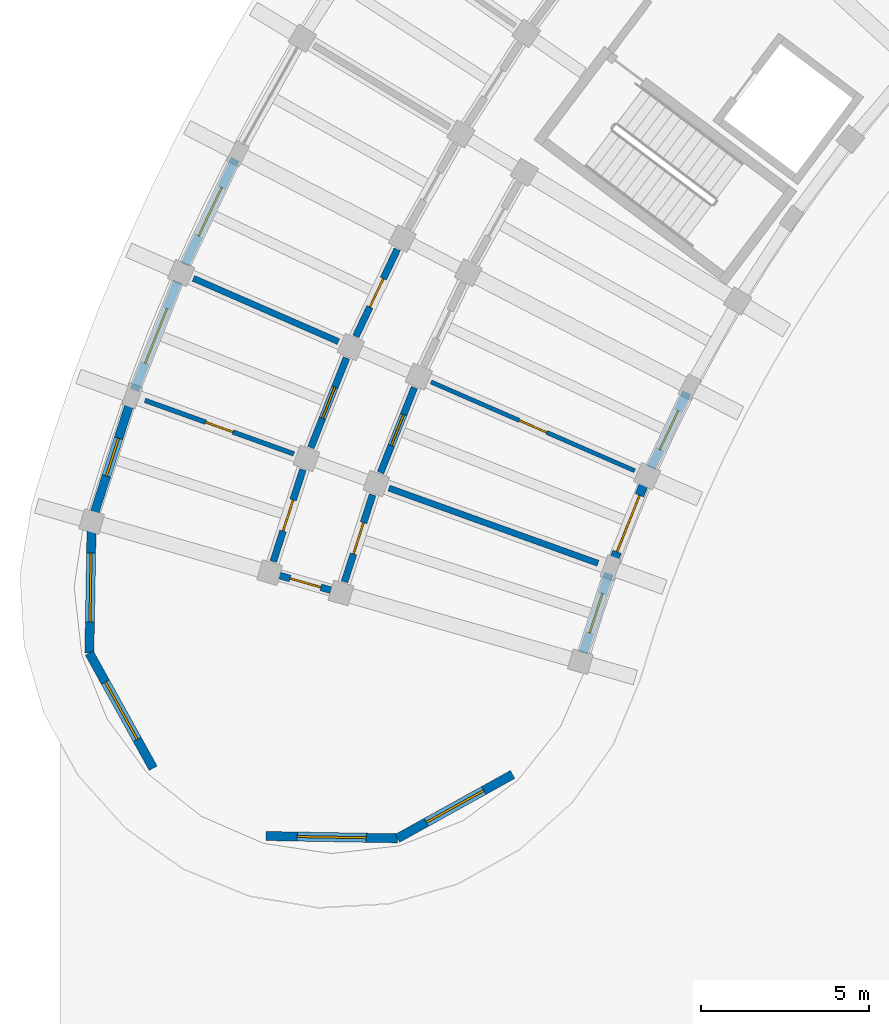
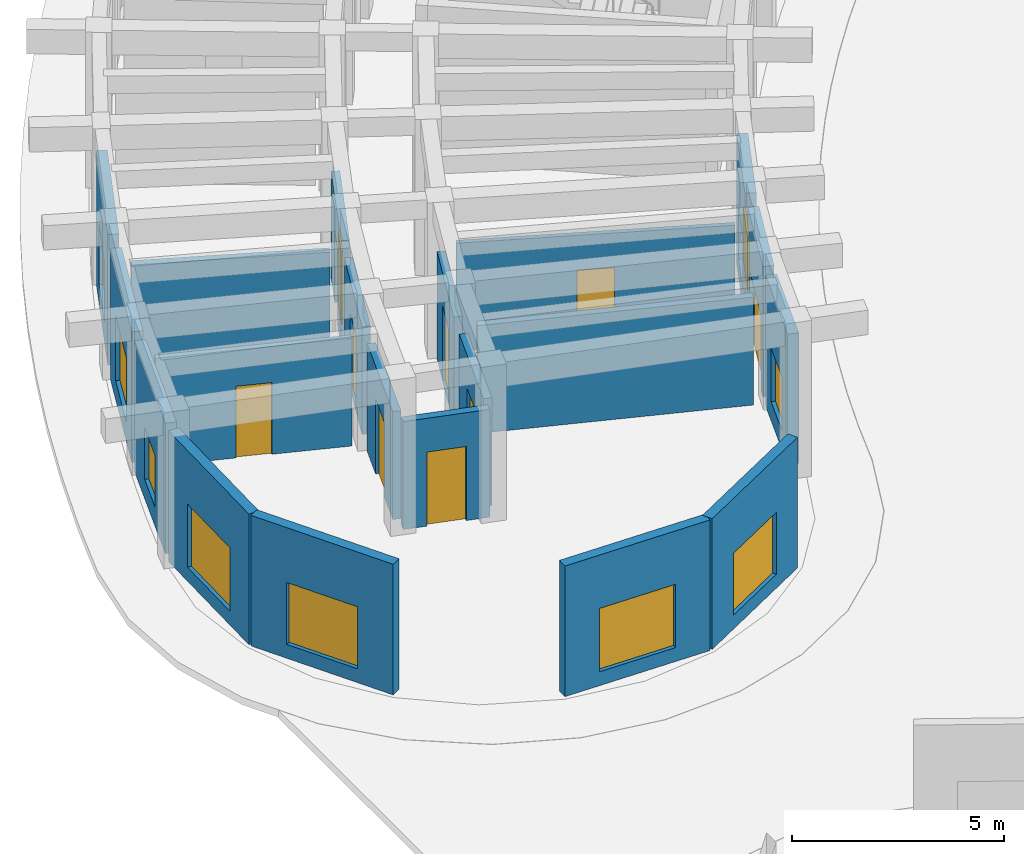
# One storey, part 93 of 132: 20 walls, 9 doors, 9 windows, 18 openings.
"""IFC4 building model written with IfcOpenShell, lengths in metres."""

from ifc_helpers import new_model, si_unit, direction, frame, frame_2d, origin, place, context, subcontext, project, spatial, rectangle, extrude, material, layer, layer_set, type_object, element, fill, save


model = new_model("IFC4")

# Units and contexts
model_context = context("Model", 3, precision=1e-05, world=origin(), true_north=direction((0.0, 1.0)))
body_context = subcontext(model_context, "Body", "Model", "MODEL_VIEW")
ifc_project = project(units=[si_unit("LENGTHUNIT", "METRE"), si_unit("AREAUNIT", "SQUARE_METRE"), si_unit("VOLUMEUNIT", "CUBIC_METRE"), si_unit("PLANEANGLEUNIT", "RADIAN"), si_unit("MASSUNIT", "GRAM", prefix="KILO")], contexts=[model_context])

# Site, building, storey
site_placement = place(None, origin())
site = spatial("IfcSite", under=ifc_project, at=site_placement, CompositionType="ELEMENT")
building_placement = place(site_placement, origin())
building = spatial("IfcBuilding", under=site, at=building_placement, Name="Tanwirah Colonnade Gardens", CompositionType="ELEMENT")
storey_placement = place(building_placement, origin())
storey = spatial("IfcBuildingStorey", under=building, at=storey_placement, Name="L00", CompositionType="ELEMENT", Elevation=0.0)

# Wall, opening, window
ifc_material_1 = material(Name="Limestone architectural precast concrete C40/50", Category="masonry")
ifc_layer_1 = layer(ifc_material_1, 0.27001953125)
ifc_layer_set_1 = layer_set([ifc_layer_1], Name="Limestone architectural precast concrete C40/50")
wall_type_1 = type_object("IfcWallType", Name="EW-PC270", PredefinedType="SOLIDWALL", material=ifc_layer_set_1)
wall_1_placement = place(storey_placement, frame((12.021484375, 87.380859375, 0.0), z_axis=(0.0, 0.0, 1.0), x_axis=(-0.4296300405, -0.903004999045, 0.0)))
wall_1 = element("IfcWall", 1, at=wall_1_placement, inside=storey, type_object=wall_type_1, Name="Block A L00 OUT Precast Facade Wall 15", PredefinedType="SOLIDWALL", context=body_context, shape_type="SweptSolid", body=[
    extrude(rectangle(XDim=3.4658203125, YDim=0.27001953125, at=frame_2d((1.73291015625, 0.0))), origin(), (0.0, 0.0, 1.0), 3.7548828125),
])
opening_1_placement = place(wall_1_placement, frame((0.932861328125, 0.0, 0.550048828125)))
opening_1 = element("IfcOpeningElement", 2, at=opening_1_placement, cuts=wall_1, Name="Opening WIN-T10", PredefinedType="OPENING", context=body_context, shape_type="SweptSolid", body=[
    extrude(rectangle(XDim=1.60009765625, YDim=1.75, at=frame_2d((0.800048828125, 0.875))), frame((0.0, 0.14501953125, 0.0), z_axis=(0.0, -1.0, 0.0), x_axis=(1.0, 0.0, 0.0)), (0.0, 0.0, 1.0), 0.2900390625),
])
ifc_material_2 = material(Name="Thermally broken bronze aluminium and solar low-E double glazing", Category="aluminium")
window_type_1 = type_object("IfcWindowType", Name="WIN-T10", PartitioningType="DOUBLE_PANEL_VERTICAL", PredefinedType="WINDOW", material=ifc_material_2)
window_1_placement = place(opening_1_placement, origin())
window_1 = element("IfcWindow", 3, at=window_1_placement, inside=storey, type_object=window_type_1, Name="Facade window A-L00-OUT-15", OverallHeight=1.75, OverallWidth=1.60009765625, PartitioningType="SINGLE_PANEL", PredefinedType="WINDOW", context=body_context, shape_type="SweptSolid", body=[
    extrude(rectangle(XDim=1.60009765625, YDim=1.75, at=frame_2d((0.800048828125, 0.875))), frame((0.0, 0.030029296875, 0.0), z_axis=(0.0, -1.0, 0.0), x_axis=(1.0, 0.0, 0.0)), (0.0, 0.0, 1.0), 0.06005859375),
])
fill(opening_1, window_1)

wall_2_placement = place(storey_placement, frame((25.435546875, 80.447509765625, 0.0), z_axis=(0.0, 0.0, 1.0), x_axis=(-0.42961514119, -0.90301208766, 0.0)))
wall_2 = element("IfcWall", 4, at=wall_2_placement, inside=storey, type_object=wall_type_1, Name="Block A L00 IN Precast Facade Wall 15", PredefinedType="SOLIDWALL", context=body_context, shape_type="SweptSolid", body=[
    extrude(rectangle(XDim=2.47021484375, YDim=0.27001953125, at=frame_2d((1.235107421875, 0.0))), origin(), (0.0, 0.0, 1.0), 3.7548828125),
])
opening_2_placement = place(wall_2_placement, frame((0.59521484375, 0.0, 0.550048828125)))
opening_2 = element("IfcOpeningElement", 5, at=opening_2_placement, cuts=wall_2, Name="Opening WIN-T17", PredefinedType="OPENING", context=body_context, shape_type="SweptSolid", body=[
    extrude(rectangle(XDim=1.280029296875, YDim=1.52001953125, at=frame_2d((0.64013671875, 0.760009765625))), frame((0.0, 0.14501953125, 0.0), z_axis=(0.0, -1.0, 0.0), x_axis=(1.0, 0.0, 0.0)), (0.0, 0.0, 1.0), 0.2900390625),
])
window_type_2 = type_object("IfcWindowType", Name="WIN-T17", PartitioningType="SINGLE_PANEL", PredefinedType="WINDOW", material=ifc_material_2)
window_2_placement = place(opening_2_placement, origin())
window_2 = element("IfcWindow", 6, at=window_2_placement, inside=storey, type_object=window_type_2, Name="Facade window A-L00-IN-15", OverallHeight=1.52001953125, OverallWidth=1.280029296875, PartitioningType="SINGLE_PANEL", PredefinedType="WINDOW", context=body_context, shape_type="SweptSolid", body=[
    extrude(rectangle(XDim=1.280029296875, YDim=1.52001953125, at=frame_2d((0.64013671875, 0.760009765625))), frame((0.0, 0.030029296875, 0.0), z_axis=(0.0, -1.0, 0.0), x_axis=(1.0, 0.0, 0.0)), (0.0, 0.0, 1.0), 0.06005859375),
])
fill(opening_2, window_2)

wall_3_placement = place(storey_placement, frame((10.308837890625, 83.73828125, 0.0), z_axis=(0.0, 0.0, 1.0), x_axis=(-0.369191330552, -0.929353410412, 0.0)))
wall_3 = element("IfcWall", 7, at=wall_3_placement, inside=storey, type_object=wall_type_1, Name="Block A L00 OUT Precast Facade Wall 16", PredefinedType="SOLIDWALL", context=body_context, shape_type="SweptSolid", body=[
    extrude(rectangle(XDim=3.4658203125, YDim=0.27001953125, at=frame_2d((1.73291015625, 0.0))), origin(), (0.0, 0.0, 1.0), 3.7548828125),
])
opening_3_placement = place(wall_3_placement, frame((0.85791015625, 0.0, 0.550048828125)))
opening_3 = element("IfcOpeningElement", 8, at=opening_3_placement, cuts=wall_3, Name="Opening WIN-T13", PredefinedType="OPENING", context=body_context, shape_type="SweptSolid", body=[
    extrude(rectangle(XDim=1.75, YDim=1.85009765625, at=frame_2d((0.875, 0.925048828125))), frame((0.0, 0.14501953125, 0.0), z_axis=(0.0, -1.0, 0.0), x_axis=(1.0, 0.0, 0.0)), (0.0, 0.0, 1.0), 0.2900390625),
])
window_type_3 = type_object("IfcWindowType", Name="WIN-T13", PartitioningType="TRIPLE_PANEL_VERTICAL", PredefinedType="WINDOW", material=ifc_material_2)
window_3_placement = place(opening_3_placement, origin())
window_3 = element("IfcWindow", 9, at=window_3_placement, inside=storey, type_object=window_type_3, Name="Facade window A-L00-OUT-16", OverallHeight=1.85009765625, OverallWidth=1.75, PartitioningType="SINGLE_PANEL", PredefinedType="WINDOW", context=body_context, shape_type="SweptSolid", body=[
    extrude(rectangle(XDim=1.75, YDim=1.85009765625, at=frame_2d((0.875, 0.925048828125))), frame((0.0, 0.030029296875, 0.0), z_axis=(0.0, -1.0, 0.0), x_axis=(1.0, 0.0, 0.0)), (0.0, 0.0, 1.0), 0.06005859375),
])
fill(opening_3, window_3)

# Wall, opening, door
wall_4_placement = place(storey_placement, frame((24.150390625, 77.70361328125, 0.0), z_axis=(0.0, 0.0, 1.0), x_axis=(-0.369157243617, -0.929366950932, 0.0)))
wall_4 = element("IfcWall", 10, at=wall_4_placement, inside=storey, type_object=wall_type_1, Name="Block A L00 IN Precast Facade Wall 16", PredefinedType="SOLIDWALL", context=body_context, shape_type="SweptSolid", body=[
    extrude(rectangle(XDim=2.47021484375, YDim=0.27001953125, at=frame_2d((1.235107421875, 0.0))), origin(), (0.0, 0.0, 1.0), 3.7548828125),
])
opening_4_placement = place(wall_4_placement, frame((0.335205078125, 0.0, 0.0)))
opening_4 = element("IfcOpeningElement", 11, at=opening_4_placement, cuts=wall_4, Name="Opening L00-ED002", PredefinedType="OPENING", context=body_context, shape_type="SweptSolid", body=[
    extrude(rectangle(XDim=1.800048828125, YDim=2.14990234375, at=frame_2d((0.89990234375, 1.074951171875))), frame((0.0, 0.14501953125, 0.0), z_axis=(0.0, -1.0, 0.0), x_axis=(1.0, 0.0, 0.0)), (0.0, 0.0, 1.0), 0.2900390625),
])
ifc_material_3 = material(Name="Powder-coated galvanized steel fire exit door", Category="steel")
door_type_1 = type_object("IfcDoorType", Name="ED-EXIT18", OperationType="DOUBLE_DOOR_SINGLE_SWING", PredefinedType="DOOR", material=ifc_material_3)
door_1_placement = place(opening_4_placement, origin())
door_1 = element("IfcDoor", 12, at=door_1_placement, inside=storey, type_object=door_type_1, Name="Pedestrian final exit door L00-ED002", OperationType="DOUBLE_DOOR_SINGLE_SWING", OverallHeight=2.14990234375, OverallWidth=1.800048828125, PredefinedType="DOOR", context=body_context, shape_type="SweptSolid", body=[
    extrude(rectangle(XDim=1.800048828125, YDim=2.14990234375, at=frame_2d((0.89990234375, 1.074951171875))), frame((0.0, 0.02490234375, 0.0), z_axis=(0.0, -1.0, 0.0), x_axis=(1.0, 0.0, 0.0)), (0.0, 0.0, 1.0), 0.050048828125),
])
fill(opening_4, door_1)

# Wall, opening, window
wall_5_placement = place(storey_placement, frame((8.907470703125, 80.1787109375, 0.0), z_axis=(0.0, 0.0, 1.0), x_axis=(-0.30721065507, -0.951641536195, 0.0)))
wall_5 = element("IfcWall", 13, at=wall_5_placement, inside=storey, type_object=wall_type_1, Name="Block A L00 OUT Precast Facade Wall 17", PredefinedType="SOLIDWALL", context=body_context, shape_type="SweptSolid", body=[
    extrude(rectangle(XDim=3.465576171875, YDim=0.27001953125, at=frame_2d((1.73291015625, 0.0))), origin(), (0.0, 0.0, 1.0), 3.7548828125),
])
opening_5_placement = place(wall_5_placement, frame((1.142822265625, 0.0, 0.550048828125)))
opening_5 = element("IfcOpeningElement", 14, at=opening_5_placement, cuts=wall_5, Name="Opening WIN-T16", PredefinedType="OPENING", context=body_context, shape_type="SweptSolid", body=[
    extrude(rectangle(XDim=1.179931640625, YDim=1.47998046875, at=frame_2d((0.58984375, 0.739990234375))), frame((0.0, 0.14501953125, 0.0), z_axis=(0.0, -1.0, 0.0), x_axis=(1.0, 0.0, 0.0)), (0.0, 0.0, 1.0), 0.2900390625),
])
window_type_4 = type_object("IfcWindowType", Name="WIN-T16", PartitioningType="SINGLE_PANEL", PredefinedType="WINDOW", material=ifc_material_2)
window_4_placement = place(opening_5_placement, origin())
window_4 = element("IfcWindow", 15, at=window_4_placement, inside=storey, type_object=window_type_4, Name="Facade window A-L00-OUT-17", OverallHeight=1.47998046875, OverallWidth=1.179931640625, PartitioningType="SINGLE_PANEL", PredefinedType="WINDOW", context=body_context, shape_type="SweptSolid", body=[
    extrude(rectangle(XDim=1.179931640625, YDim=1.47998046875, at=frame_2d((0.58984375, 0.739990234375))), frame((0.0, 0.030029296875, 0.0), z_axis=(0.0, -1.0, 0.0), x_axis=(1.0, 0.0, 0.0)), (0.0, 0.0, 1.0), 0.06005859375),
])
fill(opening_5, window_4)

wall_6_placement = place(storey_placement, frame((23.11669921875, 75.0693359375, 0.0), z_axis=(0.0, 0.0, 1.0), x_axis=(-0.307170258834, -0.951654576035, 0.0)))
wall_6 = element("IfcWall", 16, at=wall_6_placement, inside=storey, type_object=wall_type_1, Name="Block A L00 IN Precast Facade Wall 17", PredefinedType="SOLIDWALL", context=body_context, shape_type="SweptSolid", body=[
    extrude(rectangle(XDim=2.47021484375, YDim=0.27001953125, at=frame_2d((1.235107421875, 0.0))), origin(), (0.0, 0.0, 1.0), 3.7548828125),
])
opening_6_placement = place(wall_6_placement, frame((0.614990234375, 0.0, 0.550048828125)))
opening_6 = element("IfcOpeningElement", 17, at=opening_6_placement, cuts=wall_6, Name="Opening WIN-U03", PredefinedType="OPENING", context=body_context, shape_type="SweptSolid", body=[
    extrude(rectangle(XDim=1.239990234375, YDim=1.534912109375, at=frame_2d((0.6201171875, 0.767578125))), frame((0.0, 0.14501953125, 0.0), z_axis=(0.0, -1.0, 0.0), x_axis=(1.0, 0.0, 0.0)), (0.0, 0.0, 1.0), 0.2900390625),
])
window_type_5 = type_object("IfcWindowType", Name="WIN-U03", PartitioningType="DOUBLE_PANEL_VERTICAL", PredefinedType="WINDOW", material=ifc_material_2)
window_5_placement = place(opening_6_placement, origin())
window_5 = element("IfcWindow", 18, at=window_5_placement, inside=storey, type_object=window_type_5, Name="Facade window A-L00-IN-17", OverallHeight=1.534912109375, OverallWidth=1.239990234375, PartitioningType="SINGLE_PANEL", PredefinedType="WINDOW", context=body_context, shape_type="SweptSolid", body=[
    extrude(rectangle(XDim=1.239990234375, YDim=1.534912109375, at=frame_2d((0.6201171875, 0.767578125))), frame((0.0, 0.030029296875, 0.0), z_axis=(0.0, -1.0, 0.0), x_axis=(1.0, 0.0, 0.0)), (0.0, 0.0, 1.0), 0.06005859375),
])
fill(opening_6, window_5)

wall_7_placement = place(storey_placement, frame((20.259033203125, 69.10205078125, 0.0), z_axis=(0.0, 0.0, 1.0), x_axis=(-0.874643043537, -0.484767517881, 0.0)))
wall_7 = element("IfcWall", 19, at=wall_7_placement, inside=storey, type_object=wall_type_1, Name="Block A L00 END Rounded End Wall 1", PredefinedType="SOLIDWALL", context=body_context, shape_type="SweptSolid", body=[
    extrude(rectangle(XDim=3.908203125, YDim=0.27001953125, at=frame_2d((1.9541015625, 0.0))), origin(), (0.0, 0.0, 1.0), 3.7548828125),
])
opening_7_placement = place(wall_7_placement, frame((0.97900390625, 0.0, 0.39990234375)))
opening_7 = element("IfcOpeningElement", 20, at=opening_7_placement, cuts=wall_7, Name="Opening WIN-END2", PredefinedType="OPENING", context=body_context, shape_type="SweptSolid", body=[
    extrude(rectangle(XDim=1.949951171875, YDim=1.780029296875, at=frame_2d((0.97509765625, 0.89013671875))), frame((0.0, 0.14501953125, 0.0), z_axis=(0.0, -1.0, 0.0), x_axis=(1.0, 0.0, 0.0)), (0.0, 0.0, 1.0), 0.2900390625),
])
window_type_6 = type_object("IfcWindowType", Name="WIN-END2", PartitioningType="TRIPLE_PANEL_VERTICAL", PredefinedType="WINDOW", material=ifc_material_2)
window_6_placement = place(opening_7_placement, origin())
window_6 = element("IfcWindow", 21, at=window_6_placement, inside=storey, type_object=window_type_6, Name="Rounded corner window A-L00-END-1", OverallHeight=1.780029296875, OverallWidth=1.949951171875, PartitioningType="SINGLE_PANEL", PredefinedType="WINDOW", context=body_context, shape_type="SweptSolid", body=[
    extrude(rectangle(XDim=1.949951171875, YDim=1.780029296875, at=frame_2d((0.97509765625, 0.89013671875))), frame((0.0, 0.030029296875, 0.0), z_axis=(0.0, -1.0, 0.0), x_axis=(1.0, 0.0, 0.0)), (0.0, 0.0, 1.0), 0.06005859375),
])
fill(opening_7, window_6)

wall_8_placement = place(storey_placement, frame((16.8408203125, 67.20751953125, 0.0), z_axis=(0.0, 0.0, 1.0), x_axis=(-0.999848096392, 0.017429404492, 0.0)))
wall_8 = element("IfcWall", 22, at=wall_8_placement, inside=storey, type_object=wall_type_1, Name="Block A L00 END Rounded End Wall 2", PredefinedType="SOLIDWALL", context=body_context, shape_type="SweptSolid", body=[
    extrude(rectangle(XDim=3.907958984375, YDim=0.27001953125, at=frame_2d((1.9541015625, 0.0))), origin(), (0.0, 0.0, 1.0), 3.7548828125),
])
opening_8_placement = place(wall_8_placement, frame((0.92919921875, 0.0, 0.39990234375)))
opening_8 = element("IfcOpeningElement", 23, at=opening_8_placement, cuts=wall_8, Name="Opening WIN-END3", PredefinedType="OPENING", context=body_context, shape_type="SweptSolid", body=[
    extrude(rectangle(XDim=2.050048828125, YDim=1.820068359375, at=frame_2d((1.02490234375, 0.91015625))), frame((0.0, 0.14501953125, 0.0), z_axis=(0.0, -1.0, 0.0), x_axis=(1.0, 0.0, 0.0)), (0.0, 0.0, 1.0), 0.2900390625),
])
window_type_7 = type_object("IfcWindowType", Name="WIN-END3", PartitioningType="TRIPLE_PANEL_VERTICAL", PredefinedType="WINDOW", material=ifc_material_2)
window_7_placement = place(opening_8_placement, origin())
window_7 = element("IfcWindow", 24, at=window_7_placement, inside=storey, type_object=window_type_7, Name="Rounded corner window A-L00-END-2", OverallHeight=1.820068359375, OverallWidth=2.050048828125, PartitioningType="SINGLE_PANEL", PredefinedType="WINDOW", context=body_context, shape_type="SweptSolid", body=[
    extrude(rectangle(XDim=2.050048828125, YDim=1.820068359375, at=frame_2d((1.02490234375, 0.91015625))), frame((0.0, 0.030029296875, 0.0), z_axis=(0.0, -1.0, 0.0), x_axis=(1.0, 0.0, 0.0)), (0.0, 0.0, 1.0), 0.06005859375),
])
fill(opening_8, window_7)

wall_9_placement = place(storey_placement, frame((9.58349609375, 69.28857421875, 0.0), z_axis=(0.0, 0.0, 1.0), x_axis=(-0.484841794757, 0.874601871743, 0.0)))
wall_9 = element("IfcWall", 25, at=wall_9_placement, inside=storey, type_object=wall_type_1, Name="Block A L00 END Rounded End Wall 4", PredefinedType="SOLIDWALL", context=body_context, shape_type="SweptSolid", body=[
    extrude(rectangle(XDim=3.907958984375, YDim=0.27001953125, at=frame_2d((1.9541015625, 0.0))), origin(), (0.0, 0.0, 1.0), 3.7548828125),
])
opening_9_placement = place(wall_9_placement, frame((0.97900390625, 0.0, 0.39990234375)))
opening_9 = element("IfcOpeningElement", 26, at=opening_9_placement, cuts=wall_9, Name="Opening WIN-END2", PredefinedType="OPENING", context=body_context, shape_type="SweptSolid", body=[
    extrude(rectangle(XDim=1.949951171875, YDim=1.780029296875, at=frame_2d((0.97509765625, 0.89013671875))), frame((0.0, 0.14501953125, 0.0), z_axis=(0.0, -1.0, 0.0), x_axis=(1.0, 0.0, 0.0)), (0.0, 0.0, 1.0), 0.2900390625),
])
window_8_placement = place(opening_9_placement, origin())
window_8 = element("IfcWindow", 27, at=window_8_placement, inside=storey, type_object=window_type_6, Name="Rounded corner window A-L00-END-4", OverallHeight=1.780029296875, OverallWidth=1.949951171875, PartitioningType="SINGLE_PANEL", PredefinedType="WINDOW", context=body_context, shape_type="SweptSolid", body=[
    extrude(rectangle(XDim=1.949951171875, YDim=1.780029296875, at=frame_2d((0.97509765625, 0.89013671875))), frame((0.0, 0.030029296875, 0.0), z_axis=(0.0, -1.0, 0.0), x_axis=(1.0, 0.0, 0.0)), (0.0, 0.0, 1.0), 0.06005859375),
])
fill(opening_9, window_8)

wall_10_placement = place(storey_placement, frame((7.688720703125, 72.70654296875, 0.0), z_axis=(0.0, 0.0, 1.0), x_axis=(0.017428315893, 0.999848115368, 0.0)))
wall_10 = element("IfcWall", 28, at=wall_10_placement, inside=storey, type_object=wall_type_1, Name="Block A L00 END Rounded End Wall 5", PredefinedType="SOLIDWALL", context=body_context, shape_type="SweptSolid", body=[
    extrude(rectangle(XDim=3.908203125, YDim=0.27001953125, at=frame_2d((1.9541015625, 0.0))), origin(), (0.0, 0.0, 1.0), 3.7548828125),
])
opening_10_placement = place(wall_10_placement, frame((0.92919921875, 0.0, 0.39990234375)))
opening_10 = element("IfcOpeningElement", 29, at=opening_10_placement, cuts=wall_10, Name="Opening WIN-END3", PredefinedType="OPENING", context=body_context, shape_type="SweptSolid", body=[
    extrude(rectangle(XDim=2.050048828125, YDim=1.820068359375, at=frame_2d((1.02490234375, 0.91015625))), frame((0.0, 0.14501953125, 0.0), z_axis=(0.0, -1.0, 0.0), x_axis=(1.0, 0.0, 0.0)), (0.0, 0.0, 1.0), 0.2900390625),
])
window_9_placement = place(opening_10_placement, origin())
window_9 = element("IfcWindow", 30, at=window_9_placement, inside=storey, type_object=window_type_7, Name="Rounded corner window A-L00-END-5", OverallHeight=1.820068359375, OverallWidth=2.050048828125, PartitioningType="SINGLE_PANEL", PredefinedType="WINDOW", context=body_context, shape_type="SweptSolid", body=[
    extrude(rectangle(XDim=2.050048828125, YDim=1.820068359375, at=frame_2d((1.02490234375, 0.91015625))), frame((0.0, 0.030029296875, 0.0), z_axis=(0.0, -1.0, 0.0), x_axis=(1.0, 0.0, 0.0)), (0.0, 0.0, 1.0), 0.06005859375),
])
fill(opening_10, window_9)

# Wall, opening, door
ifc_material_4 = material(Name="Precast concrete C40/50", Category="concrete")
ifc_layer_2 = layer(ifc_material_4, 0.205078125)
ifc_layer_set_2 = layer_set([ifc_layer_2], Name="Precast concrete C40/50")
wall_type_2 = type_object("IfcWallType", Name="IW-CORR205", PredefinedType="PARTITIONING", material=ifc_layer_set_2)
wall_11_placement = place(storey_placement, frame((16.834228515625, 84.701904296875, 0.0), z_axis=(0.0, 0.0, 1.0), x_axis=(-0.429595933416, -0.90302122566, 0.0)))
wall_11 = element("IfcWall", 31, at=wall_11_placement, inside=storey, type_object=wall_type_2, Name="Block A L00 OUT Corridor Wall 15", PredefinedType="PARTITIONING", context=body_context, shape_type="SweptSolid", body=[
    extrude(rectangle(XDim=2.863037109375, YDim=0.205078125, at=frame_2d((1.431640625, 0.0))), origin(), (0.0, 0.0, 1.0), 3.10009765625),
])
opening_11_placement = place(wall_11_placement, frame((0.966552734375, 0.0, 0.0)))
opening_11 = element("IfcOpeningElement", 32, at=opening_11_placement, cuts=wall_11, Name="Opening L00-AD253", PredefinedType="OPENING", context=body_context, shape_type="SweptSolid", body=[
    extrude(rectangle(XDim=0.929931640625, YDim=2.1201171875, at=frame_2d((0.46484375, 1.06005859375))), frame((0.0, 0.112548828125, 0.0), z_axis=(0.0, -1.0, 0.0), x_axis=(1.0, 0.0, 0.0)), (0.0, 0.0, 1.0), 0.22509765625),
])
ifc_material_5 = material(Name="Solid oak fire-resisting apartment entrance door")
door_type_2 = type_object("IfcDoorType", Name="ID-FLT093", OperationType="NOTDEFINED", PredefinedType="DOOR", material=ifc_material_5)
door_2_placement = place(opening_11_placement, origin())
door_2 = element("IfcDoor", 33, at=door_2_placement, inside=storey, type_object=door_type_2, Name="Apartment corridor door L00-AD253", OperationType="SINGLE_SWING_RIGHT", OverallHeight=2.1201171875, OverallWidth=0.929931640625, PredefinedType="DOOR", context=body_context, shape_type="SweptSolid", body=[
    extrude(rectangle(XDim=0.929931640625, YDim=2.1201171875, at=frame_2d((0.46484375, 1.06005859375))), frame((0.0, 0.02490234375, 0.0), z_axis=(0.0, -1.0, 0.0), x_axis=(1.0, 0.0, 0.0)), (0.0, 0.0, 1.0), 0.050048828125),
])
fill(opening_11, door_2)

wall_12_placement = place(storey_placement, frame((15.32470703125, 81.47509765625, 0.0), z_axis=(0.0, 0.0, 1.0), x_axis=(-0.369213832442, -0.929344471083, 0.0)))
wall_12 = element("IfcWall", 34, at=wall_12_placement, inside=storey, type_object=wall_type_2, Name="Block A L00 OUT Corridor Wall 16", PredefinedType="PARTITIONING", context=body_context, shape_type="SweptSolid", body=[
    extrude(rectangle(XDim=2.86328125, YDim=0.205078125, at=frame_2d((1.431640625, 0.0))), origin(), (0.0, 0.0, 1.0), 3.10009765625),
])
opening_12_placement = place(wall_12_placement, frame((0.9365234375, 0.0, 0.0)))
opening_12 = element("IfcOpeningElement", 35, at=opening_12_placement, cuts=wall_12, Name="Opening L00-AD256", PredefinedType="OPENING", context=body_context, shape_type="SweptSolid", body=[
    extrude(rectangle(XDim=0.989990234375, YDim=2.159912109375, at=frame_2d((0.4951171875, 1.080078125))), frame((0.0, 0.112548828125, 0.0), z_axis=(0.0, -1.0, 0.0), x_axis=(1.0, 0.0, 0.0)), (0.0, 0.0, 1.0), 0.22509765625),
])
door_type_3 = type_object("IfcDoorType", Name="ID-FLT099", OperationType="NOTDEFINED", PredefinedType="DOOR", material=ifc_material_5)
door_3_placement = place(opening_12_placement, origin())
door_3 = element("IfcDoor", 36, at=door_3_placement, inside=storey, type_object=door_type_3, Name="Apartment corridor door L00-AD256", OperationType="SINGLE_SWING_LEFT", OverallHeight=2.159912109375, OverallWidth=0.989990234375, PredefinedType="DOOR", context=body_context, shape_type="SweptSolid", body=[
    extrude(rectangle(XDim=0.989990234375, YDim=2.159912109375, at=frame_2d((0.4951171875, 1.080078125))), frame((0.0, 0.02490234375, 0.0), z_axis=(0.0, -1.0, 0.0), x_axis=(1.0, 0.0, 0.0)), (0.0, 0.0, 1.0), 0.050048828125),
])
fill(opening_12, door_3)

wall_13_placement = place(storey_placement, frame((17.34130859375, 80.595947265625, 0.0), z_axis=(0.0, 0.0, 1.0), x_axis=(-0.369237170461, -0.929335198919, 0.0)))
wall_13 = element("IfcWall", 37, at=wall_13_placement, inside=storey, type_object=wall_type_2, Name="Block A L00 IN Corridor Wall 16", PredefinedType="PARTITIONING", context=body_context, shape_type="SweptSolid", body=[
    extrude(rectangle(XDim=2.71826171875, YDim=0.205078125, at=frame_2d((1.359130859375, 0.0))), origin(), (0.0, 0.0, 1.0), 3.10009765625),
])
opening_13_placement = place(wall_13_placement, frame((0.864013671875, 0.0, 0.0)))
opening_13 = element("IfcOpeningElement", 38, at=opening_13_placement, cuts=wall_13, Name="Opening L00-AD257", PredefinedType="OPENING", context=body_context, shape_type="SweptSolid", body=[
    extrude(rectangle(XDim=0.989990234375, YDim=2.159912109375, at=frame_2d((0.4951171875, 1.080078125))), frame((0.0, 0.112548828125, 0.0), z_axis=(0.0, -1.0, 0.0), x_axis=(1.0, 0.0, 0.0)), (0.0, 0.0, 1.0), 0.22509765625),
])
door_4_placement = place(opening_13_placement, origin())
door_4 = element("IfcDoor", 39, at=door_4_placement, inside=storey, type_object=door_type_3, Name="Apartment corridor door L00-AD257", OperationType="SINGLE_SWING_RIGHT", OverallHeight=2.159912109375, OverallWidth=0.989990234375, PredefinedType="DOOR", context=body_context, shape_type="SweptSolid", body=[
    extrude(rectangle(XDim=0.989990234375, YDim=2.159912109375, at=frame_2d((0.4951171875, 1.080078125))), frame((0.0, 0.02490234375, 0.0), z_axis=(0.0, -1.0, 0.0), x_axis=(1.0, 0.0, 0.0)), (0.0, 0.0, 1.0), 0.050048828125),
])
fill(opening_13, door_4)

wall_14_placement = place(storey_placement, frame((14.03076171875, 78.156005859375, 0.0), z_axis=(0.0, 0.0, 1.0), x_axis=(-0.307132325305, -0.951666819193, 0.0)))
wall_14 = element("IfcWall", 40, at=wall_14_placement, inside=storey, type_object=wall_type_2, Name="Block A L00 OUT Corridor Wall 17", PredefinedType="PARTITIONING", context=body_context, shape_type="SweptSolid", body=[
    extrude(rectangle(XDim=2.86328125, YDim=0.205078125, at=frame_2d((1.431640625, 0.0))), origin(), (0.0, 0.0, 1.0), 3.10009765625),
])
opening_14_placement = place(wall_14_placement, frame((0.946533203125, 0.0, 0.0)))
opening_14 = element("IfcOpeningElement", 41, at=opening_14_placement, cuts=wall_14, Name="Opening L00-AD259", PredefinedType="OPENING", context=body_context, shape_type="SweptSolid", body=[
    extrude(rectangle(XDim=0.969970703125, YDim=2.14990234375, at=frame_2d((0.48486328125, 1.074951171875))), frame((0.0, 0.112548828125, 0.0), z_axis=(0.0, -1.0, 0.0), x_axis=(1.0, 0.0, 0.0)), (0.0, 0.0, 1.0), 0.22509765625),
])
door_type_4 = type_object("IfcDoorType", Name="ID-FLT097", OperationType="NOTDEFINED", PredefinedType="DOOR", material=ifc_material_5)
door_5_placement = place(opening_14_placement, origin())
door_5 = element("IfcDoor", 42, at=door_5_placement, inside=storey, type_object=door_type_4, Name="Apartment corridor door L00-AD259", OperationType="SINGLE_SWING_RIGHT", OverallHeight=2.14990234375, OverallWidth=0.969970703125, PredefinedType="DOOR", context=body_context, shape_type="SweptSolid", body=[
    extrude(rectangle(XDim=0.969970703125, YDim=2.14990234375, at=frame_2d((0.48486328125, 1.074951171875))), frame((0.0, 0.02490234375, 0.0), z_axis=(0.0, -1.0, 0.0), x_axis=(1.0, 0.0, 0.0)), (0.0, 0.0, 1.0), 0.050048828125),
])
fill(opening_14, door_5)

wall_15_placement = place(storey_placement, frame((16.10107421875, 77.41162109375, 0.0), z_axis=(0.0, 0.0, 1.0), x_axis=(-0.307186478934, -0.95164934044, 0.0)))
wall_15 = element("IfcWall", 43, at=wall_15_placement, inside=storey, type_object=wall_type_2, Name="Block A L00 IN Corridor Wall 17", PredefinedType="PARTITIONING", context=body_context, shape_type="SweptSolid", body=[
    extrude(rectangle(XDim=2.718017578125, YDim=0.205078125, at=frame_2d((1.35888671875, 0.0))), origin(), (0.0, 0.0, 1.0), 3.10009765625),
])
opening_15_placement = place(wall_15_placement, frame((0.8740234375, 0.0, 0.0)))
opening_15 = element("IfcOpeningElement", 44, at=opening_15_placement, cuts=wall_15, Name="Opening L00-AD260", PredefinedType="OPENING", context=body_context, shape_type="SweptSolid", body=[
    extrude(rectangle(XDim=0.969970703125, YDim=2.14990234375, at=frame_2d((0.48486328125, 1.074951171875))), frame((0.0, 0.112548828125, 0.0), z_axis=(0.0, -1.0, 0.0), x_axis=(1.0, 0.0, 0.0)), (0.0, 0.0, 1.0), 0.22509765625),
])
door_6_placement = place(opening_15_placement, origin())
door_6 = element("IfcDoor", 45, at=door_6_placement, inside=storey, type_object=door_type_4, Name="Apartment corridor door L00-AD260", OperationType="SINGLE_SWING_LEFT", OverallHeight=2.14990234375, OverallWidth=0.969970703125, PredefinedType="DOOR", context=body_context, shape_type="SweptSolid", body=[
    extrude(rectangle(XDim=0.969970703125, YDim=2.14990234375, at=frame_2d((0.48486328125, 1.074951171875))), frame((0.0, 0.02490234375, 0.0), z_axis=(0.0, -1.0, 0.0), x_axis=(1.0, 0.0, 0.0)), (0.0, 0.0, 1.0), 0.050048828125),
])
fill(opening_15, door_6)

wall_16_placement = place(storey_placement, frame((15.110595703125, 74.505615234375, 0.0), z_axis=(0.0, 0.0, 1.0), x_axis=(-0.961264701934, 0.275626872449, 0.0)))
wall_16 = element("IfcWall", 46, at=wall_16_placement, inside=storey, type_object=wall_type_2, Name="Block A L00 CE Corner Suite Corridor Wall", PredefinedType="PARTITIONING", context=body_context, shape_type="SweptSolid", body=[
    extrude(rectangle(XDim=2.10009765625, YDim=0.205078125, at=frame_2d((1.050048828125, 0.0))), origin(), (0.0, 0.0, 1.0), 3.10009765625),
])
opening_16_placement = place(wall_16_placement, frame((0.570068359375, 0.0, 0.0)))
opening_16 = element("IfcOpeningElement", 47, at=opening_16_placement, cuts=wall_16, Name="Opening L00-CD262", PredefinedType="OPENING", context=body_context, shape_type="SweptSolid", body=[
    extrude(rectangle(XDim=0.949951171875, YDim=2.1298828125, at=frame_2d((0.47509765625, 1.06494140625))), frame((0.0, 0.112548828125, 0.0), z_axis=(0.0, -1.0, 0.0), x_axis=(1.0, 0.0, 0.0)), (0.0, 0.0, 1.0), 0.22509765625),
])
door_type_5 = type_object("IfcDoorType", Name="ID-FLT095", OperationType="NOTDEFINED", PredefinedType="DOOR", material=ifc_material_5)
door_7_placement = place(opening_16_placement, origin())
door_7 = element("IfcDoor", 48, at=door_7_placement, inside=storey, type_object=door_type_5, Name="Corner suite entrance door L00-CD262", OperationType="SINGLE_SWING_RIGHT", OverallHeight=2.1298828125, OverallWidth=0.949951171875, PredefinedType="DOOR", context=body_context, shape_type="SweptSolid", body=[
    extrude(rectangle(XDim=0.949951171875, YDim=2.1298828125, at=frame_2d((0.47509765625, 1.06494140625))), frame((0.0, 0.02490234375, 0.0), z_axis=(0.0, -1.0, 0.0), x_axis=(1.0, 0.0, 0.0)), (0.0, 0.0, 1.0), 0.050048828125),
])
fill(opening_16, door_7)

# Walls
ifc_layer_3 = layer(ifc_material_4, 0.18505859375)
ifc_layer_set_3 = layer_set([ifc_layer_3], Name="Precast concrete C40/50")
wall_type_3 = type_object("IfcWallType", Name="IW-DEM185", PredefinedType="PARTITIONING", material=ifc_layer_set_3)
wall_17_placement = place(storey_placement, frame((15.087158203125, 81.960205078125, 0.0), z_axis=(0.0, 0.0, 1.0), x_axis=(-0.916663273961, 0.39966040856, 0.0)))
element("IfcWall", 49, at=wall_17_placement, inside=storey, type_object=wall_type_3, Name="Block A L00 Radial Partition 15", PredefinedType="PARTITIONING", context=body_context, shape_type="SweptSolid", body=[
    extrude(rectangle(XDim=4.699951171875, YDim=0.18505859375, at=frame_2d((2.35009765625, 0.0))), origin(), (0.0, 0.0, 1.0), 3.10009765625),
])
wall_18_placement = place(storey_placement, frame((22.795654296875, 75.3759765625, 0.0), z_axis=(0.0, 0.0, 1.0), x_axis=(-0.941005714099, 0.338390670725, 0.0)))
element("IfcWall", 50, at=wall_18_placement, inside=storey, type_object=wall_type_3, Name="Block A L00 Inner Radial Partition 16", PredefinedType="PARTITIONING", context=body_context, shape_type="SweptSolid", body=[
    extrude(rectangle(XDim=6.60009765625, YDim=0.18505859375, at=frame_2d((3.300048828125, 0.0))), origin(), (0.0, 0.0, 1.0), 3.10009765625),
])

# Wall, opening, door
ifc_material_6 = material(Name="Moisture-resistant gypsum stud partition")
ifc_layer_4 = layer(ifc_material_6, 0.125)
ifc_layer_set_4 = layer_set([ifc_layer_4], Name="Moisture-resistant gypsum stud partition")
wall_type_4 = type_object("IfcWallType", Name="IW-INT125", PredefinedType="PARTITIONING", material=ifc_layer_set_4)
wall_19_placement = place(storey_placement, frame((23.88720703125, 78.123779296875, 0.0), z_axis=(0.0, 0.0, 1.0), x_axis=(-0.916668515796, 0.399648385645, 0.0)))
wall_19 = element("IfcWall", 51, at=wall_19_placement, inside=storey, type_object=wall_type_4, Name="Block A L00 Inner Radial Partition 15", PredefinedType="PARTITIONING", context=body_context, shape_type="SweptSolid", body=[
    extrude(rectangle(XDim=6.60009765625, YDim=0.125, at=frame_2d((3.300048828125, 0.0))), origin(), (0.0, 0.0, 1.0), 3.10009765625),
])
opening_17_placement = place(wall_19_placement, frame((2.85498046875, 0.0, 0.0)))
opening_17 = element("IfcOpeningElement", 52, at=opening_17_placement, cuts=wall_19, Name="Opening L00-RD255", PredefinedType="OPENING", context=body_context, shape_type="SweptSolid", body=[
    extrude(rectangle(XDim=0.889892578125, YDim=2.10009765625, at=frame_2d((0.44482421875, 1.050048828125))), frame((0.0, 0.072509765625, 0.0), z_axis=(0.0, -1.0, 0.0), x_axis=(1.0, 0.0, 0.0)), (0.0, 0.0, 1.0), 0.14501953125),
])
ifc_material_7 = material(Name="Painted hardwood bedroom door", Category="wood")
door_type_6 = type_object("IfcDoorType", Name="ID-RM089", OperationType="NOTDEFINED", PredefinedType="DOOR", material=ifc_material_7)
door_8_placement = place(opening_17_placement, origin())
door_8 = element("IfcDoor", 53, at=door_8_placement, inside=storey, type_object=door_type_6, Name="Internal apartment door L00-RD255", OperationType="SINGLE_SWING_LEFT", OverallHeight=2.10009765625, OverallWidth=0.889892578125, PredefinedType="DOOR", context=body_context, shape_type="SweptSolid", body=[
    extrude(rectangle(XDim=0.889892578125, YDim=2.10009765625, at=frame_2d((0.44482421875, 1.050048828125))), frame((0.0, 0.02490234375, 0.0), z_axis=(0.0, -1.0, 0.0), x_axis=(1.0, 0.0, 0.0)), (0.0, 0.0, 1.0), 0.050048828125),
])
fill(opening_17, door_8)

ifc_material_8 = material(Name="Water-resistant acoustic plumbing partition")
ifc_layer_5 = layer(ifc_material_8, 0.139892578125)
ifc_layer_set_5 = layer_set([ifc_layer_5], Name="Water-resistant acoustic plumbing partition")
wall_type_5 = type_object("IfcWallType", Name="IW-WET140", PredefinedType="PLUMBINGWALL", material=ifc_layer_set_5)
wall_20_placement = place(storey_placement, frame((13.761962890625, 78.62451171875, 0.0), z_axis=(0.0, 0.0, 1.0), x_axis=(-0.941015806044, 0.338362605463, 0.0)))
wall_20 = element("IfcWall", 54, at=wall_20_placement, inside=storey, type_object=wall_type_5, Name="Block A L00 Radial Partition 16", PredefinedType="PLUMBINGWALL", context=body_context, shape_type="SweptSolid", body=[
    extrude(rectangle(XDim=4.7001953125, YDim=0.139892578125, at=frame_2d((2.35009765625, 0.0))), origin(), (0.0, 0.0, 1.0), 3.10009765625),
])
opening_18_placement = place(wall_20_placement, frame((1.919921875, 0.0, 0.0)))
opening_18 = element("IfcOpeningElement", 55, at=opening_18_placement, cuts=wall_20, Name="Opening L00-RD258", PredefinedType="OPENING", context=body_context, shape_type="SweptSolid", body=[
    extrude(rectangle(XDim=0.860107421875, YDim=2.06005859375, at=frame_2d((0.43017578125, 1.030029296875))), frame((0.0, 0.079833984375, 0.0), z_axis=(0.0, -1.0, 0.0), x_axis=(1.0, 0.0, 0.0)), (0.0, 0.0, 1.0), 0.159912109375),
])
ifc_material_9 = material(Name="Moisture-resistant bathroom door")
door_type_7 = type_object("IfcDoorType", Name="ID-WET086", OperationType="NOTDEFINED", PredefinedType="DOOR", material=ifc_material_9)
door_9_placement = place(opening_18_placement, origin())
door_9 = element("IfcDoor", 56, at=door_9_placement, inside=storey, type_object=door_type_7, Name="Internal apartment door L00-RD258", OperationType="SINGLE_SWING_LEFT", OverallHeight=2.06005859375, OverallWidth=0.860107421875, PredefinedType="DOOR", context=body_context, shape_type="SweptSolid", body=[
    extrude(rectangle(XDim=0.860107421875, YDim=2.06005859375, at=frame_2d((0.43017578125, 1.030029296875))), frame((0.0, 0.02490234375, 0.0), z_axis=(0.0, -1.0, 0.0), x_axis=(1.0, 0.0, 0.0)), (0.0, 0.0, 1.0), 0.050048828125),
])
fill(opening_18, door_9)

save(model, "model.ifc")
